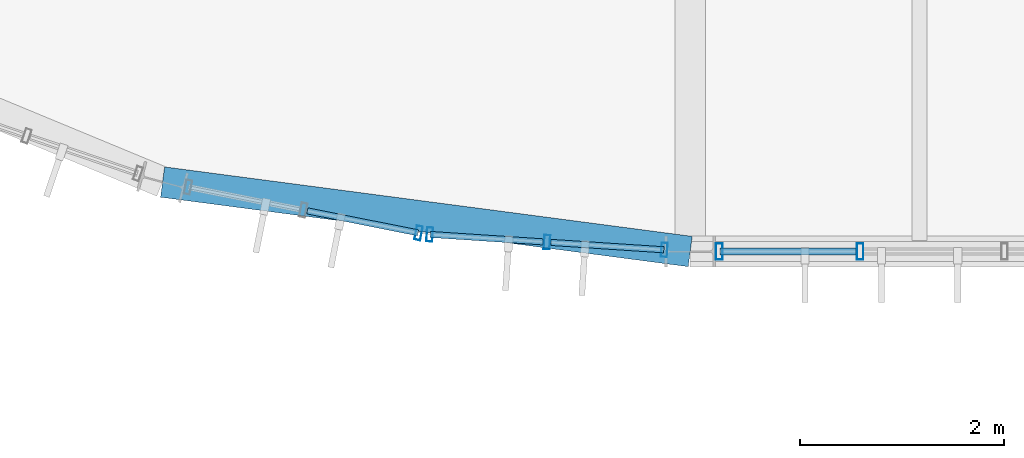
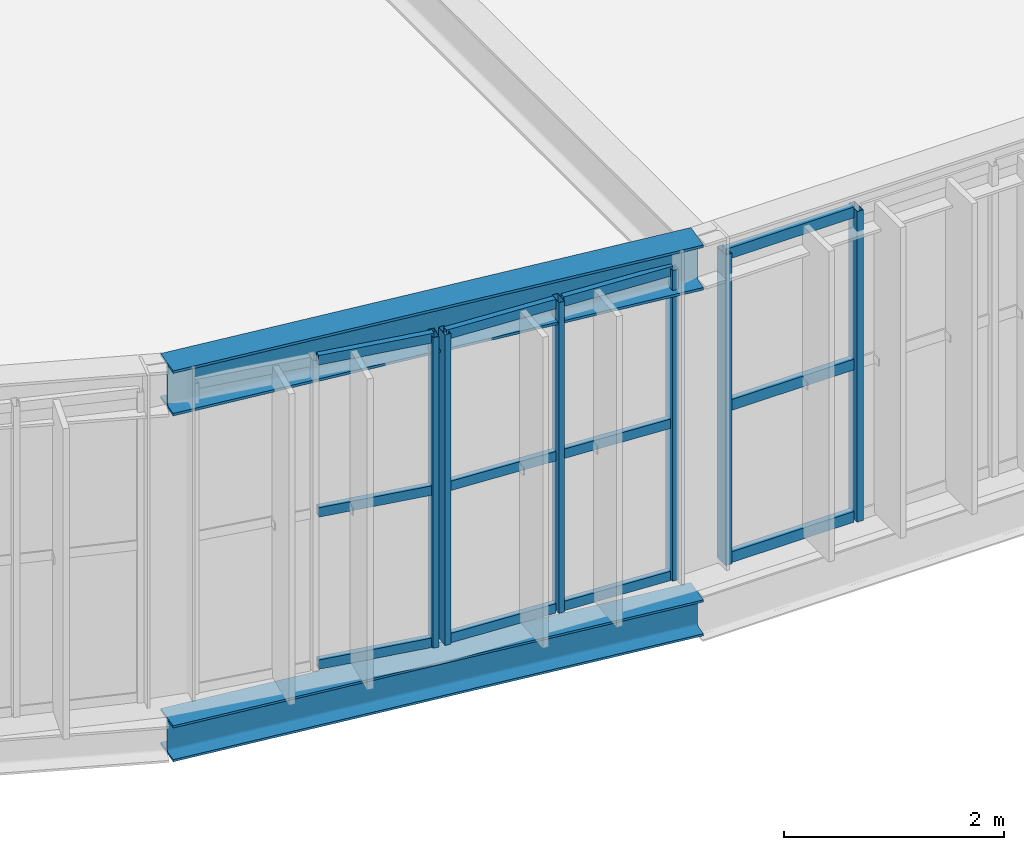
# One storey, part 14 of 152: 18 members, 2 beams, 3 elements without a shape of their own.
"""IFC4 building model written with IfcOpenShell, lengths in metres."""

from ifc_helpers import new_model, si_unit, derived_unit, direction, frame, origin, origin_2d, place, context, subcontext, project, spatial, hollow_rectangle, i_section, extrude, material, material_profile, profile_set, type_object, element, aggregate, save


model = new_model("IFC4")

# Units and contexts
model_context = context("Model", 3, precision=1e-05, world=origin(), true_north=direction((0.0, 1.0)))
body_context = subcontext(model_context, "Body", "Model", "MODEL_VIEW")
ifc_project = project(units=[si_unit("LENGTHUNIT", "METRE"), si_unit("AREAUNIT", "SQUARE_METRE"), si_unit("VOLUMEUNIT", "CUBIC_METRE"), si_unit("PLANEANGLEUNIT", "RADIAN"), si_unit("MASSUNIT", "GRAM", prefix="KILO"), si_unit("THERMODYNAMICTEMPERATUREUNIT", "KELVIN"), si_unit("TIMEUNIT", "SECOND"), derived_unit("THERMALTRANSMITTANCEUNIT", [(si_unit("MASSUNIT", "GRAM", prefix="KILO"), 1), (si_unit("THERMODYNAMICTEMPERATUREUNIT", "KELVIN"), -1), (si_unit("TIMEUNIT", "SECOND"), -3)])], contexts=[model_context])

# Site, building, storey
site_placement = place(None, origin())
site = spatial("IfcSite", under=ifc_project, at=site_placement, CompositionType="ELEMENT")
building_placement = place(site_placement, origin())
building = spatial("IfcBuilding", under=site, at=building_placement, Name="Cambertide Market Hall", CompositionType="ELEMENT")
storey_placement = place(building_placement, frame((0.0, 0.0, 5.39990234375)))
storey = spatial("IfcBuildingStorey", under=building, at=storey_placement, Name="L02", CompositionType="ELEMENT", Elevation=5.39990234375)

# Curtain wall, member
ifc_material_1 = material(Name="Marine Anodized Aluminium 6063-T6 AA25", Category="aluminium")
curtain_wall_type_1 = type_object("IfcCurtainWallType", Name="Lantern Apse Chord Upper Curtain Wall", PredefinedType="USERDEFINED", material=ifc_material_1)
curtain_wall_1_placement = place(storey_placement, origin())
curtain_wall_1 = element("IfcCurtainWall", 1, at=curtain_wall_1_placement, inside=storey, type_object=curtain_wall_type_1, Name="Level 2 Curtain Wall CW-V1AW-L02-23", ObjectType="UNITIZED CURTAIN WALL", PredefinedType="USERDEFINED")
ifc_material_2 = material(Name="Champagne Marine Anodized Aluminium 6063-T6 AA25", Category="aluminium")
ifc_material_profile_1 = material_profile(ifc_material_2, hollow_rectangle(XDim=0.06005859375, YDim=0.139892578125, WallThickness=0.00341796875, at=origin_2d()), Name="ALU MULLION 60x140")
ifc_profile_set_1 = profile_set([ifc_material_profile_1], Name="Champagne Marine Anodized Aluminium 6063-T6 AA25")
member_type_1 = type_object("IfcMemberType", Name="Curtain Wall Mullion ALU MULLION 60x140", PredefinedType="MULLION", material=ifc_profile_set_1)
member_1_placement = place(storey_placement, frame((39.33544921875, 52.181884765625, 0.0), z_axis=(0.0, 0.0, 1.0), x_axis=(-0.980785330885, 0.195090068226, 0.0)))
member_1 = element("IfcMember", 2, at=member_1_placement, type_object=member_type_1, Name="CW-V1AW-L02-23 Mullion 1", PredefinedType="MULLION", context=body_context, shape_type="SweptSolid", body=[
    extrude(hollow_rectangle(XDim=0.06005859375, YDim=0.139892578125, WallThickness=0.00341796875, at=origin_2d()), origin(), (0.0, 0.0, 1.0), 3.4501953125),
])

# Curtain wall, members
curtain_wall_2_placement = place(storey_placement, origin())
curtain_wall_2 = element("IfcCurtainWall", 3, at=curtain_wall_2_placement, inside=storey, type_object=curtain_wall_type_1, Name="Level 2 Curtain Wall CW-V1AW-L02-24", ObjectType="UNITIZED CURTAIN WALL", PredefinedType="USERDEFINED")
member_2_placement = place(storey_placement, frame((41.74560546875, 52.0166015625, 0.0), z_axis=(0.0, 0.0, 1.0), x_axis=(-0.997858917819, 0.065403211921, 0.0)))
member_2 = element("IfcMember", 4, at=member_2_placement, type_object=member_type_1, Name="CW-V1AW-L02-24 Mullion 1", PredefinedType="MULLION", context=body_context, shape_type="SweptSolid", body=[
    extrude(hollow_rectangle(XDim=0.06005859375, YDim=0.139892578125, WallThickness=0.00341796875, at=origin_2d()), origin(), (0.0, 0.0, 1.0), 3.4501953125),
])
member_3_placement = place(storey_placement, frame((40.594970703125, 52.092041015625, 0.0), z_axis=(0.0, 0.0, 1.0), x_axis=(-0.997858917819, 0.065403211921, 0.0)))
member_3 = element("IfcMember", 5, at=member_3_placement, type_object=member_type_1, Name="CW-V1AW-L02-24 Mullion 2", PredefinedType="MULLION", context=body_context, shape_type="SweptSolid", body=[
    extrude(hollow_rectangle(XDim=0.06005859375, YDim=0.139892578125, WallThickness=0.00341796875, at=origin_2d()), origin(), (0.0, 0.0, 1.0), 3.4501953125),
])
member_4_placement = place(storey_placement, frame((39.4443359375, 52.16748046875, 0.0), z_axis=(0.0, 0.0, 1.0), x_axis=(-0.997858917819, 0.065403211921, 0.0)))
member_4 = element("IfcMember", 6, at=member_4_placement, type_object=member_type_1, Name="CW-V1AW-L02-24 Mullion 3", PredefinedType="MULLION", context=body_context, shape_type="SweptSolid", body=[
    extrude(hollow_rectangle(XDim=0.06005859375, YDim=0.139892578125, WallThickness=0.00341796875, at=origin_2d()), origin(), (0.0, 0.0, 1.0), 3.4501953125),
])

ifc_material_3 = material(Name="Marine Anodized Aluminium 6063-T6 AA25", Category="aluminium")
curtain_wall_type_2 = type_object("IfcCurtainWallType", Name="Lantern Straight Upper Curtain Wall", PredefinedType="USERDEFINED", material=ifc_material_3)
curtain_wall_3_placement = place(storey_placement, origin())
curtain_wall_3 = element("IfcCurtainWall", 7, at=curtain_wall_3_placement, inside=storey, type_object=curtain_wall_type_2, Name="Level 2 Curtain Wall CW-V1S-L02-1", ObjectType="UNITIZED CURTAIN WALL", PredefinedType="USERDEFINED")
ifc_material_4 = material(Name="Champagne Marine Anodized Aluminium 6063-T6 AA25", Category="aluminium")
ifc_material_profile_2 = material_profile(ifc_material_4, hollow_rectangle(XDim=0.06494140625, YDim=0.159912109375, WallThickness=0.00341796875, at=origin_2d()), Name="ALU MULLION 65x160")
ifc_profile_set_2 = profile_set([ifc_material_profile_2], Name="Champagne Marine Anodized Aluminium 6063-T6 AA25")
member_type_2 = type_object("IfcMemberType", Name="Curtain Wall Mullion ALU MULLION 65x160", PredefinedType="MULLION", material=ifc_profile_set_2)
member_5_placement = place(storey_placement, frame((43.666748046875, 52.0, 0.0), z_axis=(0.0, 0.0, 1.0), x_axis=(-1.0, 0.0, 0.0)))
member_5 = element("IfcMember", 8, at=member_5_placement, type_object=member_type_2, Name="CW-V1S-L02-1 Mullion 6", PredefinedType="MULLION", context=body_context, shape_type="SweptSolid", body=[
    extrude(hollow_rectangle(XDim=0.06494140625, YDim=0.159912109375, WallThickness=0.00341796875, at=origin_2d()), origin(), (0.0, 0.0, 1.0), 3.4501953125),
])
member_6_placement = place(storey_placement, frame((42.284912109375, 52.0, 0.0), z_axis=(0.0, 0.0, 1.0), x_axis=(-1.0, 0.0, 0.0)))
member_6 = element("IfcMember", 9, at=member_6_placement, type_object=member_type_2, Name="CW-V1S-L02-1 Mullion 7", PredefinedType="MULLION", context=body_context, shape_type="SweptSolid", body=[
    extrude(hollow_rectangle(XDim=0.06494140625, YDim=0.159912109375, WallThickness=0.00341796875, at=origin_2d()), origin(), (0.0, 0.0, 1.0), 3.4501953125),
])

# Member
ifc_material_5 = material(Name="Champagne Marine Anodized Aluminium 6063-T6 AA25", Category="aluminium")
ifc_material_profile_3 = material_profile(ifc_material_5, hollow_rectangle(XDim=0.06005859375, YDim=0.10498046875, WallThickness=0.0029296875, at=origin_2d()), Name="ALU TRANSOM 60x105")
ifc_profile_set_3 = profile_set([ifc_material_profile_3], Name="Champagne Marine Anodized Aluminium 6063-T6 AA25")
member_type_3 = type_object("IfcMemberType", Name="Curtain Wall Transom ALU TRANSOM 60x105", PredefinedType="USERDEFINED", material=ifc_profile_set_3)
member_7_placement = place(storey_placement, frame((39.33056640625, 52.182861328125, 0.03515625), z_axis=(-0.980800411785, 0.195014235999, 0.0), x_axis=(-0.195014235999, -0.980800411785, 0.0)))
member_7 = element("IfcMember", 10, at=member_7_placement, type_object=member_type_3, Name="CW-V1AW-L02-23 Transom 1-1", ObjectType="TRANSOM", PredefinedType="USERDEFINED", context=body_context, shape_type="SweptSolid", body=[
    extrude(hollow_rectangle(XDim=0.06005859375, YDim=0.10498046875, WallThickness=0.0029296875, at=origin_2d()), origin(), (0.0, 0.0, 1.0), 1.10791015625),
])

member_8_placement = place(storey_placement, frame((39.33056640625, 52.182861328125, 1.72509765625), z_axis=(-0.980800411785, 0.195014235999, 0.0), x_axis=(-0.195014235999, -0.980800411785, 0.0)))
member_8 = element("IfcMember", 11, at=member_8_placement, type_object=member_type_3, Name="CW-V1AW-L02-23 Transom 2-1", ObjectType="TRANSOM", PredefinedType="USERDEFINED", context=body_context, shape_type="SweptSolid", body=[
    extrude(hollow_rectangle(XDim=0.06005859375, YDim=0.10498046875, WallThickness=0.0029296875, at=origin_2d()), origin(), (0.0, 0.0, 1.0), 1.10791015625),
])

member_9_placement = place(storey_placement, frame((39.33056640625, 52.182861328125, 3.4150390625), z_axis=(-0.980800411785, 0.195014235999, 0.0), x_axis=(-0.195014235999, -0.980800411785, 0.0)))
member_9 = element("IfcMember", 12, at=member_9_placement, type_object=member_type_3, Name="CW-V1AW-L02-23 Transom 3-1", ObjectType="TRANSOM", PredefinedType="USERDEFINED", context=body_context, shape_type="SweptSolid", body=[
    extrude(hollow_rectangle(XDim=0.06005859375, YDim=0.10498046875, WallThickness=0.0029296875, at=origin_2d()), origin(), (0.0, 0.0, 1.0), 1.10791015625),
])

aggregate(curtain_wall_1, [member_1, member_7, member_8, member_9])

member_10_placement = place(storey_placement, frame((41.740478515625, 52.01708984375, 0.03515625), z_axis=(-0.997871075842, 0.065217451634, 0.0), x_axis=(-0.065217451634, -0.997871075842, 0.0)))
member_10 = element("IfcMember", 13, at=member_10_placement, type_object=member_type_3, Name="CW-V1AW-L02-24 Transom 1-1", ObjectType="TRANSOM", PredefinedType="USERDEFINED", context=body_context, shape_type="SweptSolid", body=[
    extrude(hollow_rectangle(XDim=0.06005859375, YDim=0.10498046875, WallThickness=0.0029296875, at=origin_2d()), origin(), (0.0, 0.0, 1.0), 1.108154296875),
])

member_11_placement = place(storey_placement, frame((40.554931640625, 52.0947265625, 0.03515625), z_axis=(-0.997855769469, 0.065451228695, 0.0), x_axis=(-0.065451228695, -0.997855769469, 0.0)))
member_11 = element("IfcMember", 14, at=member_11_placement, type_object=member_type_3, Name="CW-V1AW-L02-24 Transom 1-2", ObjectType="TRANSOM", PredefinedType="USERDEFINED", context=body_context, shape_type="SweptSolid", body=[
    extrude(hollow_rectangle(XDim=0.06005859375, YDim=0.10498046875, WallThickness=0.0029296875, at=origin_2d()), origin(), (0.0, 0.0, 1.0), 1.10791015625),
])

member_12_placement = place(storey_placement, frame((41.740478515625, 52.01708984375, 1.72509765625), z_axis=(-0.997871075842, 0.065217451634, 0.0), x_axis=(-0.065217451634, -0.997871075842, 0.0)))
member_12 = element("IfcMember", 15, at=member_12_placement, type_object=member_type_3, Name="CW-V1AW-L02-24 Transom 2-1", ObjectType="TRANSOM", PredefinedType="USERDEFINED", context=body_context, shape_type="SweptSolid", body=[
    extrude(hollow_rectangle(XDim=0.06005859375, YDim=0.10498046875, WallThickness=0.0029296875, at=origin_2d()), origin(), (0.0, 0.0, 1.0), 1.108154296875),
])

member_13_placement = place(storey_placement, frame((40.554931640625, 52.0947265625, 1.72509765625), z_axis=(-0.997855769469, 0.065451228695, 0.0), x_axis=(-0.065451228695, -0.997855769469, 0.0)))
member_13 = element("IfcMember", 16, at=member_13_placement, type_object=member_type_3, Name="CW-V1AW-L02-24 Transom 2-2", ObjectType="TRANSOM", PredefinedType="USERDEFINED", context=body_context, shape_type="SweptSolid", body=[
    extrude(hollow_rectangle(XDim=0.06005859375, YDim=0.10498046875, WallThickness=0.0029296875, at=origin_2d()), origin(), (0.0, 0.0, 1.0), 1.10791015625),
])

member_14_placement = place(storey_placement, frame((41.740478515625, 52.01708984375, 3.4150390625), z_axis=(-0.997871075842, 0.065217451634, 0.0), x_axis=(-0.065217451634, -0.997871075842, 0.0)))
member_14 = element("IfcMember", 17, at=member_14_placement, type_object=member_type_3, Name="CW-V1AW-L02-24 Transom 3-1", ObjectType="TRANSOM", PredefinedType="USERDEFINED", context=body_context, shape_type="SweptSolid", body=[
    extrude(hollow_rectangle(XDim=0.06005859375, YDim=0.10498046875, WallThickness=0.0029296875, at=origin_2d()), origin(), (0.0, 0.0, 1.0), 1.108154296875),
])

member_15_placement = place(storey_placement, frame((40.554931640625, 52.0947265625, 3.4150390625), z_axis=(-0.997855769469, 0.065451228695, 0.0), x_axis=(-0.065451228695, -0.997855769469, 0.0)))
member_15 = element("IfcMember", 18, at=member_15_placement, type_object=member_type_3, Name="CW-V1AW-L02-24 Transom 3-2", ObjectType="TRANSOM", PredefinedType="USERDEFINED", context=body_context, shape_type="SweptSolid", body=[
    extrude(hollow_rectangle(XDim=0.06005859375, YDim=0.10498046875, WallThickness=0.0029296875, at=origin_2d()), origin(), (0.0, 0.0, 1.0), 1.10791015625),
])

aggregate(curtain_wall_2, [member_2, member_3, member_4, member_10, member_11, member_12, member_13, member_14, member_15])

ifc_material_6 = material(Name="Champagne Marine Anodized Aluminium 6063-T6 AA25", Category="aluminium")
ifc_material_profile_4 = material_profile(ifc_material_6, hollow_rectangle(XDim=0.06494140625, YDim=0.1201171875, WallThickness=0.003173828125, at=origin_2d()), Name="ALU TRANSOM 65x120")
ifc_profile_set_4 = profile_set([ifc_material_profile_4], Name="Champagne Marine Anodized Aluminium 6063-T6 AA25")
member_type_4 = type_object("IfcMemberType", Name="Curtain Wall Transom ALU TRANSOM 65x120", PredefinedType="USERDEFINED", material=ifc_profile_set_4)
member_16_placement = place(storey_placement, frame((43.626708984375, 52.0, 0.03515625), z_axis=(-1.0, 0.0, 0.0), x_axis=(0.0, -1.0, 0.0)))
member_16 = element("IfcMember", 19, at=member_16_placement, type_object=member_type_4, Name="CW-V1S-L02-1 Transom 1-6", ObjectType="TRANSOM", PredefinedType="USERDEFINED", context=body_context, shape_type="SweptSolid", body=[
    extrude(hollow_rectangle(XDim=0.06494140625, YDim=0.1201171875, WallThickness=0.003173828125, at=origin_2d()), origin(), (0.0, 0.0, 1.0), 1.336669921875),
])

member_17_placement = place(storey_placement, frame((43.626708984375, 52.0, 1.72509765625), z_axis=(-1.0, 0.0, 0.0), x_axis=(0.0, -1.0, 0.0)))
member_17 = element("IfcMember", 20, at=member_17_placement, type_object=member_type_4, Name="CW-V1S-L02-1 Transom 2-6", ObjectType="TRANSOM", PredefinedType="USERDEFINED", context=body_context, shape_type="SweptSolid", body=[
    extrude(hollow_rectangle(XDim=0.06494140625, YDim=0.1201171875, WallThickness=0.003173828125, at=origin_2d()), origin(), (0.0, 0.0, 1.0), 1.336669921875),
])

member_18_placement = place(storey_placement, frame((43.626708984375, 52.0, 3.4150390625), z_axis=(-1.0, 0.0, 0.0), x_axis=(0.0, -1.0, 0.0)))
member_18 = element("IfcMember", 21, at=member_18_placement, type_object=member_type_4, Name="CW-V1S-L02-1 Transom 3-6", ObjectType="TRANSOM", PredefinedType="USERDEFINED", context=body_context, shape_type="SweptSolid", body=[
    extrude(hollow_rectangle(XDim=0.06494140625, YDim=0.1201171875, WallThickness=0.003173828125, at=origin_2d()), origin(), (0.0, 0.0, 1.0), 1.336669921875),
])

aggregate(curtain_wall_3, [member_5, member_6, member_16, member_17, member_18])

# Beams
ifc_material_7 = material(Name="Steel S355", Category="steel")
ifc_material_profile_5 = material_profile(ifc_material_7, i_section(OverallWidth=0.300048828125, OverallDepth=0.5, WebThickness=0.014404296875, FlangeThickness=0.028076171875, FilletRadius=0.027099609375, at=origin_2d()), Name="HEB 500")
ifc_profile_set_5 = profile_set([ifc_material_profile_5], Name="Steel S355")
beam_type_1 = type_object("IfcBeamType", Name="Exterior Steel Girder HEB 500", PredefinedType="BEAM", material=ifc_profile_set_5)
beam_1_placement = place(storey_placement, frame((36.82373046875, 52.681396484375, 3.4501953125), z_axis=(0.991446654043, -0.130512574825, 0.0), x_axis=(0.130512574825, 0.991446654043, 0.0)))
element("IfcBeam", 22, at=beam_1_placement, inside=storey, type_object=beam_type_1, Name="Level 2 Beam EAVE-V1AW-12", PredefinedType="BEAM", context=body_context, shape_type="SweptSolid", body=[
    extrude(i_section(OverallWidth=0.300048828125, OverallDepth=0.5, WebThickness=0.014404296875, FlangeThickness=0.028076171875, FilletRadius=0.027099609375, at=origin_2d()), origin(), (0.0, 0.0, 1.0), 5.220947265625),
])
ifc_material_8 = material(Name="Steel S355", Category="steel")
ifc_material_profile_6 = material_profile(ifc_material_8, i_section(OverallWidth=0.300048828125, OverallDepth=0.39990234375, WebThickness=0.013427734375, FlangeThickness=0.02392578125, FilletRadius=0.027099609375, at=origin_2d()), Name="HEB 400")
ifc_profile_set_6 = profile_set([ifc_material_profile_6], Name="Steel S355")
beam_type_2 = type_object("IfcBeamType", Name="Steel Girder HEB 400", PredefinedType="BEAM", material=ifc_profile_set_6)
beam_2_placement = place(storey_placement, frame((36.82373046875, 52.681396484375, -0.43994140625), z_axis=(0.991446654043, -0.130512574825, 0.0), x_axis=(0.130512574825, 0.991446654043, 0.0)))
element("IfcBeam", 23, at=beam_2_placement, inside=storey, type_object=beam_type_2, Name="Level 2 Beam BM-V1AW-L02-12", PredefinedType="BEAM", context=body_context, shape_type="SweptSolid", body=[
    extrude(i_section(OverallWidth=0.300048828125, OverallDepth=0.39990234375, WebThickness=0.013427734375, FlangeThickness=0.02392578125, FilletRadius=0.027099609375, at=origin_2d()), origin(), (0.0, 0.0, 1.0), 5.220947265625),
])

save(model, "model.ifc")
